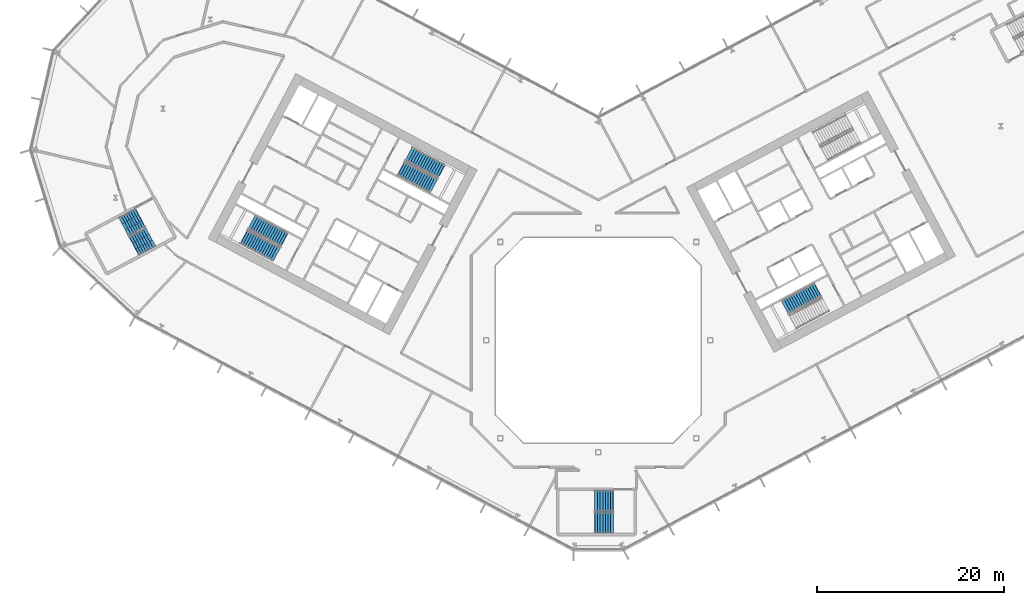
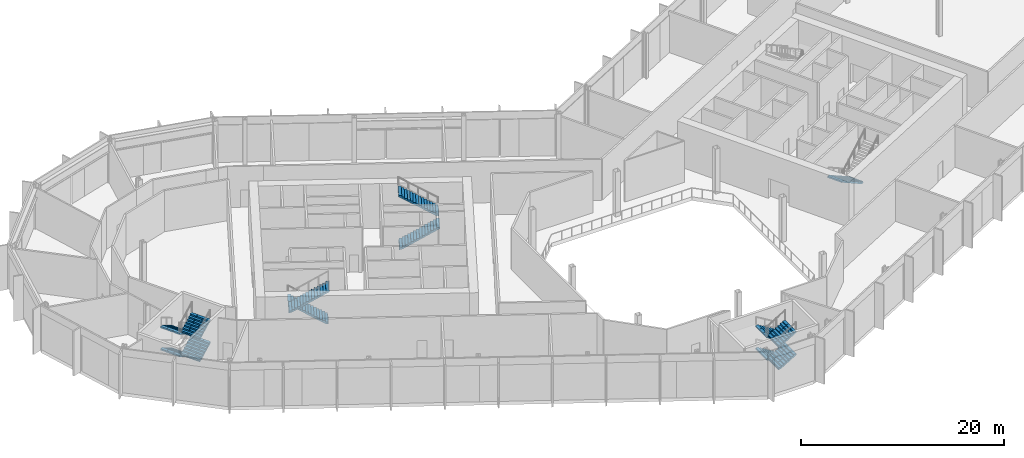
# One storey, part 18 of 31: 13 stair flights, 5 elements without a shape of their own.
"""IFC4 building model written with IfcOpenShell, lengths in metres."""

import ifcopenshell
import ifcopenshell.guid

model = None  # the IFC model being written
_history = None  # IfcOwnerHistory: only IFC2X3 demands one
_inside = {}  # id of a spatial element -> (the spatial element, [elements in it])
_under = {}  # id of a project, library or spatial element -> (it, [spatial elements below it])
_declared = {}  # id of a project -> (the project, [libraries it declares])
_typed = {}  # id of a type object -> (the type object, [elements of that type])
_made_of = {}  # id of a material, layer set ... -> (it, [elements and type objects made of it])


def new_model(schema):
    """Start an empty IFC model of exactly this schema.

    Asked for "IFC4X3", IfcOpenShell would pick the latest addendum, in which some entities
    have other attributes; the version numbers below select the first issue.
    IFC2X3 requires an IfcOwnerHistory on every rooted entity: one is made here for all.
    """
    global model, _history
    if schema == "IFC4X3":
        model = ifcopenshell.file(schema_version=(4, 3, 0, 0))
    else:
        model = ifcopenshell.file(schema=schema)
    _inside.clear()
    _under.clear()
    _declared.clear()
    _typed.clear()
    _made_of.clear()
    _history = None
    if model.schema == "IFC2X3":
        org = make("IfcOrganization", Name="unknown")
        user = make(
            "IfcPersonAndOrganization",
            ThePerson=make("IfcPerson", FamilyName="unknown"),
            TheOrganization=org,
        )
        app = make(
            "IfcApplication",
            ApplicationDeveloper=org,
            Version="unknown",
            ApplicationFullName="unknown",
            ApplicationIdentifier="unknown",
        )
        _history = make(
            "IfcOwnerHistory",
            OwningUser=user,
            OwningApplication=app,
            ChangeAction="ADDED",
            CreationDate=0,
        )
    return model


def make(cls, **values):
    """One entity of the class cls with the attributes given. An attribute that is None is left unset."""
    return model.create_entity(
        cls, **{name: value for name, value in values.items() if value is not None}
    )


def rooted(cls, **values):
    """An entity with a GlobalId (a new one), such as an element, a storey or a relation."""
    return make(cls, GlobalId=ifcopenshell.guid.new(), OwnerHistory=_history, **values)


def si_unit(unit_type, name, prefix=None):
    """IfcSIUnit, for example si_unit("LENGTHUNIT", "METRE", prefix="MILLI")."""
    return make("IfcSIUnit", UnitType=unit_type, Prefix=prefix, Name=name)


def assignment(units):
    """IfcUnitAssignment: the units of a project."""
    return None if units is None else make("IfcUnitAssignment", Units=units)


def point(xyz):
    """IfcCartesianPoint."""
    return None if xyz is None else make("IfcCartesianPoint", Coordinates=xyz)


def direction(xyz):
    """IfcDirection."""
    return None if xyz is None else make("IfcDirection", DirectionRatios=xyz)


def frame(location, z_axis=None, x_axis=None):
    """IfcAxis2Placement3D, a coordinate frame: its origin and axes. An axis left out is left unset."""
    return make(
        "IfcAxis2Placement3D",
        Location=point(location),
        Axis=direction(z_axis),
        RefDirection=direction(x_axis),
    )


def origin():
    """The frame at (0, 0, 0) with its axes left unset."""
    return frame((0.0, 0.0, 0.0))


def place(relative_to, where):
    """IfcLocalPlacement: puts the frame where relative to a parent placement (None: the world)."""
    return make(
        "IfcLocalPlacement", PlacementRelTo=relative_to, RelativePlacement=where
    )


def context(
    kind, dimensions, precision=None, world=None, true_north=None, identifier=None
):
    """IfcGeometricRepresentationContext, for example the 3D "Model" context."""
    return make(
        "IfcGeometricRepresentationContext",
        ContextIdentifier=identifier,
        ContextType=kind,
        CoordinateSpaceDimension=dimensions,
        Precision=precision,
        WorldCoordinateSystem=world,
        TrueNorth=true_north,
    )


def subcontext(parent, identifier, kind, view, scale=None):
    """IfcGeometricRepresentationSubContext, for example "Body" below "Model"."""
    return make(
        "IfcGeometricRepresentationSubContext",
        ContextIdentifier=identifier,
        ContextType=kind,
        ParentContext=parent,
        TargetScale=scale,
        TargetView=view,
    )


def project(units=None, contexts=None):
    """IfcProject with its units and contexts."""
    return rooted(
        "IfcProject",
        Name="project",
        RepresentationContexts=contexts,
        UnitsInContext=assignment(units),
    )


def spatial(cls, under=None, at=None, **own):
    """A site, building, storey or space (cls), placed at a placement, below another one or the project."""
    s = rooted(cls, ObjectPlacement=at, **own)
    if under is not None:
        _under.setdefault(under.id(), (under, []))[1].append(s)
    return s


def polyline(points):
    """IfcPolyline through the points."""
    return make("IfcPolyline", Points=[point(p) for p in points])


def outline(outer, holes=None, kind="AREA"):
    """IfcArbitraryClosedProfileDef: a profile drawn as a closed curve; with holes, ...WithVoids."""
    if holes is None:
        return make("IfcArbitraryClosedProfileDef", ProfileType=kind, OuterCurve=outer)
    return make(
        "IfcArbitraryProfileDefWithVoids",
        ProfileType=kind,
        OuterCurve=outer,
        InnerCurves=holes,
    )


def extrude(swept, where, along, depth):
    """IfcExtrudedAreaSolid: the profile swept, set in the frame where, extruded along a direction by depth."""
    return make(
        "IfcExtrudedAreaSolid",
        SweptArea=swept,
        Position=where,
        ExtrudedDirection=direction(along),
        Depth=depth,
    )


def shape(context_of_items, identifier, shape_type, items):
    """IfcShapeRepresentation: the items that make up one representation, for example the "Body"."""
    return make(
        "IfcShapeRepresentation",
        ContextOfItems=context_of_items,
        RepresentationIdentifier=identifier,
        RepresentationType=shape_type,
        Items=items,
    )


def material(Name=None, Category=None):
    """IfcMaterial."""
    return make("IfcMaterial", Name=Name, Category=Category)


def made_of(thing, what):
    """Note that an element or type object is made of a material, layer set ...; save() writes the relation."""
    if what is not None:
        _made_of.setdefault(what.id(), (what, []))[1].append(thing)
    return thing


def type_object(cls, material=None, **own):
    """A type object (cls), such as IfcWallType, which elements share."""
    return made_of(rooted(cls, **own), material)


def element(
    cls,
    number,
    at=None,
    inside=None,
    cuts=None,
    type_object=None,
    material=None,
    context=None,
    identifier="Body",
    shape_type=None,
    held_by="IfcProductDefinitionShape",
    body=None,
    shapes=None,
    **own,
):
    """One element of the class cls, such as IfcWall. Its Tag is "e" and its number.

    at: its placement. inside: the storey or other place that contains it. cuts: it is an
    opening in that element (IfcRelVoidsElement). A single representation is given by context,
    identifier, shape_type and body (its items); several are given by shapes. held_by: the class
    of the entity that holds the representations. save() writes the other relations.
    """
    e = rooted(cls, Tag="e%d" % number, ObjectPlacement=at, **own)
    if body is not None:
        shapes = [shape(context, identifier, shape_type, body)]
    if shapes is not None:
        e.Representation = make(held_by, Representations=shapes)
    if inside is not None:
        _inside.setdefault(inside.id(), (inside, []))[1].append(e)
    if cuts is not None:
        rooted(
            "IfcRelVoidsElement", RelatingBuildingElement=cuts, RelatedOpeningElement=e
        )
    if type_object is not None:
        _typed.setdefault(type_object.id(), (type_object, []))[1].append(e)
    return made_of(e, material)


def aggregate(whole, parts):
    """IfcRelAggregates: a whole, such as a stair, and the parts it consists of."""
    return rooted("IfcRelAggregates", RelatingObject=whole, RelatedObjects=parts)


def save(model, path):
    """Write the relations noted so far, then the file.

    IfcRelAggregates (storeys below a building ...), IfcRelContainedInSpatialStructure (elements
    in a storey), IfcRelDefinesByType, IfcRelAssociatesMaterial and IfcRelDeclares: one each for
    every whole, place, type object, material and project.
    """
    for whole, parts in _under.values():
        aggregate(whole, parts)
    for where, things in _inside.values():
        rooted(
            "IfcRelContainedInSpatialStructure",
            RelatedElements=things,
            RelatingStructure=where,
        )
    for kind, things in _typed.values():
        rooted("IfcRelDefinesByType", RelatedObjects=things, RelatingType=kind)
    for what, things in _made_of.values():
        rooted("IfcRelAssociatesMaterial", RelatedObjects=things, RelatingMaterial=what)
    for by, libraries in _declared.values():
        rooted("IfcRelDeclares", RelatingContext=by, RelatedDefinitions=libraries)
    model.write(path)


model = new_model("IFC4")

# Units and contexts
model_context = context("Model", 3, precision=1e-05, world=origin(), true_north=direction((0.0, 1.0)))
body_context = subcontext(model_context, "Body", "Model", "MODEL_VIEW")
ifc_project = project(units=[si_unit("LENGTHUNIT", "METRE"), si_unit("AREAUNIT", "SQUARE_METRE"), si_unit("VOLUMEUNIT", "CUBIC_METRE"), si_unit("PLANEANGLEUNIT", "RADIAN"), si_unit("MASSUNIT", "GRAM", prefix="KILO")], contexts=[model_context])

# Site, building, storey
site_placement = place(None, origin())
site = spatial("IfcSite", under=ifc_project, at=site_placement, CompositionType="ELEMENT")
building_placement = place(site_placement, origin())
building = spatial("IfcBuilding", under=site, at=building_placement, Name="Cormorant Relay Tower", CompositionType="ELEMENT")
storey_placement = place(building_placement, frame((0.0, 0.0, 23.0)))
storey = spatial("IfcBuildingStorey", under=building, at=storey_placement, Name="L04", CompositionType="ELEMENT", Elevation=23.0)

# Stair, stair flights
ifc_material_1 = material(Name="Concrete 40 MPa", Category="concrete")
stair_type_1 = type_object("IfcStairType", Name="Exit stair 1500", PredefinedType="HALF_TURN_STAIR", material=ifc_material_1)
stair_1_placement = place(storey_placement, origin())
stair_1 = element("IfcStair", 1, at=stair_1_placement, inside=storey, type_object=stair_type_1, Name="L04 Stair", PredefinedType="HALF_TURN_STAIR")
ifc_material_2 = material(Name="Concrete 40 MPa", Category="concrete")
stair_flight_type_1 = type_object("IfcStairFlightType", Name="Exit stair flight 1650", PredefinedType="STRAIGHT", material=ifc_material_2)
stair_flight_1_placement = place(storey_placement, frame((-21.114501953125, 18.33349609375, 0.0), z_axis=(0.0, 0.0, 1.0), x_axis=(0.882947592859, -0.469471562786, 0.0)))
stair_flight_1 = element("IfcStairFlight", 2, at=stair_flight_1_placement, type_object=stair_flight_type_1, Name="A1 flight 1", NumberOfRisers=15, NumberOfTreads=14, PredefinedType="STRAIGHT", RiserHeight=0.18, TreadLength=0.28, context=body_context, shape_type="SweptSolid", body=[
    extrude(outline(polyline([(-0.050048828125, -0.080078125), (-0.050048828125, 0.0), (0.0, 0.0), (0.0, 0.179931640625), (0.280029296875, 0.179931640625), (0.280029296875, 0.360107421875), (0.56005859375, 0.360107421875), (0.56005859375, 0.5400390625), (0.840087890625, 0.5400390625), (0.840087890625, 0.719970703125), (1.1201171875, 0.719970703125), (1.1201171875, 0.89990234375), (1.39990234375, 0.89990234375), (1.39990234375, 1.080078125), (1.679931640625, 1.080078125), (1.679931640625, 1.260009765625), (1.9599609375, 1.260009765625), (1.9599609375, 1.43994140625), (2.239990234375, 1.43994140625), (2.239990234375, 1.6201171875), (2.52001953125, 1.6201171875), (2.52001953125, 1.800048828125), (2.800048828125, 1.800048828125), (2.800048828125, 1.97998046875), (3.080078125, 1.97998046875), (3.080078125, 2.159912109375), (3.360107421875, 2.159912109375), (3.360107421875, 2.340087890625), (3.639892578125, 2.340087890625), (3.639892578125, 2.52001953125), (3.919921875, 2.52001953125), (3.969970703125, 2.52001953125), (3.969970703125, 2.341796875), (3.919921875, 2.341796875), (0.277099609375, 0.0), (-0.050048828125, -0.080078125)])), frame((0.0, 0.824951171875, 0.0), z_axis=(0.0, -1.0, 0.0), x_axis=(1.0, 0.0, 0.0)), (0.0, 0.0, 1.0), 1.64990234375),
])
stair_flight_2_placement = place(storey_placement, frame((-16.80810546875, 18.08251953125, 2.699951171875), z_axis=(0.0, 0.0, 1.0), x_axis=(-0.882947592859, 0.469471562786, 0.0)))
stair_flight_2 = element("IfcStairFlight", 3, at=stair_flight_2_placement, type_object=stair_flight_type_1, Name="A1 flight 2", NumberOfRisers=15, NumberOfTreads=14, PredefinedType="STRAIGHT", RiserHeight=0.18, TreadLength=0.28, context=body_context, shape_type="SweptSolid", body=[
    extrude(outline(polyline([(-0.050048828125, -0.080078125), (-0.050048828125, 0.0), (0.0, 0.0), (0.0, 0.179931640625), (0.280029296875, 0.179931640625), (0.280029296875, 0.360107421875), (0.56005859375, 0.360107421875), (0.56005859375, 0.5400390625), (0.840087890625, 0.5400390625), (0.840087890625, 0.719970703125), (1.1201171875, 0.719970703125), (1.1201171875, 0.89990234375), (1.39990234375, 0.89990234375), (1.39990234375, 1.080078125), (1.679931640625, 1.080078125), (1.679931640625, 1.260009765625), (1.9599609375, 1.260009765625), (1.9599609375, 1.43994140625), (2.239990234375, 1.43994140625), (2.239990234375, 1.6201171875), (2.52001953125, 1.6201171875), (2.52001953125, 1.800048828125), (2.800048828125, 1.800048828125), (2.800048828125, 1.97998046875), (3.080078125, 1.97998046875), (3.080078125, 2.159912109375), (3.360107421875, 2.159912109375), (3.360107421875, 2.340087890625), (3.639892578125, 2.340087890625), (3.639892578125, 2.52001953125), (3.919921875, 2.52001953125), (3.969970703125, 2.52001953125), (3.969970703125, 2.341796875), (3.919921875, 2.341796875), (0.277099609375, 0.0), (-0.050048828125, -0.080078125)])), frame((0.0, 0.824951171875, 0.0), z_axis=(0.0, -1.0, 0.0), x_axis=(1.0, 0.0, 0.0)), (0.0, 0.0, 1.0), 1.64990234375),
])
aggregate(stair_1, [stair_flight_1, stair_flight_2])

stair_2_placement = place(storey_placement, origin())
stair_2 = element("IfcStair", 4, at=stair_2_placement, inside=storey, type_object=stair_type_1, Name="L04 Stair", PredefinedType="HALF_TURN_STAIR")
stair_flight_3_placement = place(storey_placement, frame((-33.62841796875, 10.773681640625, 0.0), z_axis=(0.0, 0.0, 1.0), x_axis=(-0.882947592859, 0.469471562786, 0.0)))
stair_flight_3 = element("IfcStairFlight", 5, at=stair_flight_3_placement, type_object=stair_flight_type_1, Name="A2 flight 1", NumberOfRisers=15, NumberOfTreads=14, PredefinedType="STRAIGHT", RiserHeight=0.18, TreadLength=0.28, context=body_context, shape_type="SweptSolid", body=[
    extrude(outline(polyline([(-0.050048828125, -0.080078125), (-0.050048828125, 0.0), (0.0, 0.0), (0.0, 0.179931640625), (0.280029296875, 0.179931640625), (0.280029296875, 0.360107421875), (0.56005859375, 0.360107421875), (0.56005859375, 0.5400390625), (0.840087890625, 0.5400390625), (0.840087890625, 0.719970703125), (1.1201171875, 0.719970703125), (1.1201171875, 0.89990234375), (1.39990234375, 0.89990234375), (1.39990234375, 1.080078125), (1.679931640625, 1.080078125), (1.679931640625, 1.260009765625), (1.9599609375, 1.260009765625), (1.9599609375, 1.43994140625), (2.239990234375, 1.43994140625), (2.239990234375, 1.6201171875), (2.52001953125, 1.6201171875), (2.52001953125, 1.800048828125), (2.800048828125, 1.800048828125), (2.800048828125, 1.97998046875), (3.080078125, 1.97998046875), (3.080078125, 2.159912109375), (3.360107421875, 2.159912109375), (3.360107421875, 2.340087890625), (3.639892578125, 2.340087890625), (3.639892578125, 2.52001953125), (3.919921875, 2.52001953125), (3.969970703125, 2.52001953125), (3.969970703125, 2.341796875), (3.919921875, 2.341796875), (0.277099609375, 0.0), (-0.050048828125, -0.080078125)])), frame((0.0, 0.824951171875, 0.0), z_axis=(0.0, -1.0, 0.0), x_axis=(1.0, 0.0, 0.0)), (0.0, 0.0, 1.0), 1.64990234375),
])
stair_flight_4_placement = place(storey_placement, frame((-37.9345703125, 11.024658203125, 2.699951171875), z_axis=(0.0, 0.0, 1.0), x_axis=(0.882947592859, -0.469471562786, 0.0)))
stair_flight_4 = element("IfcStairFlight", 6, at=stair_flight_4_placement, type_object=stair_flight_type_1, Name="A2 flight 2", NumberOfRisers=15, NumberOfTreads=14, PredefinedType="STRAIGHT", RiserHeight=0.18, TreadLength=0.28, context=body_context, shape_type="SweptSolid", body=[
    extrude(outline(polyline([(-0.050048828125, -0.080078125), (-0.050048828125, 0.0), (0.0, 0.0), (0.0, 0.179931640625), (0.280029296875, 0.179931640625), (0.280029296875, 0.360107421875), (0.56005859375, 0.360107421875), (0.56005859375, 0.5400390625), (0.840087890625, 0.5400390625), (0.840087890625, 0.719970703125), (1.1201171875, 0.719970703125), (1.1201171875, 0.89990234375), (1.39990234375, 0.89990234375), (1.39990234375, 1.080078125), (1.679931640625, 1.080078125), (1.679931640625, 1.260009765625), (1.9599609375, 1.260009765625), (1.9599609375, 1.43994140625), (2.239990234375, 1.43994140625), (2.239990234375, 1.6201171875), (2.52001953125, 1.6201171875), (2.52001953125, 1.800048828125), (2.800048828125, 1.800048828125), (2.800048828125, 1.97998046875), (3.080078125, 1.97998046875), (3.080078125, 2.159912109375), (3.360107421875, 2.159912109375), (3.360107421875, 2.340087890625), (3.639892578125, 2.340087890625), (3.639892578125, 2.52001953125), (3.919921875, 2.52001953125), (3.969970703125, 2.52001953125), (3.969970703125, 2.341796875), (3.919921875, 2.341796875), (0.277099609375, 0.0), (-0.050048828125, -0.080078125)])), frame((0.0, 0.824951171875, 0.0), z_axis=(0.0, -1.0, 0.0), x_axis=(1.0, 0.0, 0.0)), (0.0, 0.0, 1.0), 1.64990234375),
])
aggregate(stair_2, [stair_flight_3, stair_flight_4])

# Stair, stair flight
stair_3_placement = place(storey_placement, origin())
stair_3 = element("IfcStair", 7, at=stair_3_placement, inside=storey, type_object=stair_type_1, Name="L04 Stair", PredefinedType="HALF_TURN_STAIR")
stair_flight_5_placement = place(storey_placement, frame((23.474365234375, 5.374755859375, 0.0), z_axis=(0.0, 0.0, 1.0), x_axis=(-0.882947592859, -0.469471562786, 0.0)))
stair_flight_5 = element("IfcStairFlight", 8, at=stair_flight_5_placement, type_object=stair_flight_type_1, Name="B1 flight 1", NumberOfRisers=15, NumberOfTreads=14, PredefinedType="STRAIGHT", RiserHeight=0.18, TreadLength=0.28, context=body_context, shape_type="SweptSolid", body=[
    extrude(outline(polyline([(-0.050048828125, -0.080078125), (-0.050048828125, 0.0), (0.0, 0.0), (0.0, 0.179931640625), (0.280029296875, 0.179931640625), (0.280029296875, 0.360107421875), (0.56005859375, 0.360107421875), (0.56005859375, 0.5400390625), (0.840087890625, 0.5400390625), (0.840087890625, 0.719970703125), (1.1201171875, 0.719970703125), (1.1201171875, 0.89990234375), (1.39990234375, 0.89990234375), (1.39990234375, 1.080078125), (1.679931640625, 1.080078125), (1.679931640625, 1.260009765625), (1.9599609375, 1.260009765625), (1.9599609375, 1.43994140625), (2.239990234375, 1.43994140625), (2.239990234375, 1.6201171875), (2.52001953125, 1.6201171875), (2.52001953125, 1.800048828125), (2.800048828125, 1.800048828125), (2.800048828125, 1.97998046875), (3.080078125, 1.97998046875), (3.080078125, 2.159912109375), (3.360107421875, 2.159912109375), (3.360107421875, 2.340087890625), (3.639892578125, 2.340087890625), (3.639892578125, 2.52001953125), (3.919921875, 2.52001953125), (3.969970703125, 2.52001953125), (3.969970703125, 2.341796875), (3.919921875, 2.341796875), (0.277099609375, 0.0), (-0.050048828125, -0.080078125)])), frame((0.0, 0.824951171875, 0.0), z_axis=(0.0, -1.0, 0.0), x_axis=(1.0, 0.0, 0.0)), (0.0, 0.0, 1.0), 1.64990234375),
])
aggregate(stair_3, [stair_flight_5])

# Stair, stair flights
ifc_material_3 = material(Name="Concrete 40 MPa", Category="concrete")
stair_type_2 = type_object("IfcStairType", Name="Remote exit stair 2200", PredefinedType="HALF_TURN_STAIR", material=ifc_material_3)
stair_4_placement = place(storey_placement, origin())
stair_4 = element("IfcStair", 9, at=stair_4_placement, inside=storey, type_object=stair_type_2, Name="L04 Stair", PredefinedType="HALF_TURN_STAIR")
ifc_material_4 = material(Name="Concrete 40 MPa", Category="concrete")
stair_flight_type_2 = type_object("IfcStairFlightType", Name="Remote exit stair flight 2200", PredefinedType="STRAIGHT", material=ifc_material_4)
stair_flight_6_placement = place(storey_placement, frame((1.60009765625, -17.22509765625, 0.0), z_axis=(0.0, 0.0, 1.0), x_axis=(-1.0, 0.0, 0.0)))
stair_flight_6 = element("IfcStairFlight", 10, at=stair_flight_6_placement, type_object=stair_flight_type_2, Name="RK1 flight 1", NumberOfRisers=8, NumberOfTreads=7, PredefinedType="STRAIGHT", RiserHeight=0.16875, TreadLength=0.28, context=body_context, shape_type="SweptSolid", body=[
    extrude(outline(polyline([(-0.050048828125, -0.080078125), (-0.050048828125, 0.0), (0.0, 0.0), (0.0, 0.168701171875), (0.280029296875, 0.168701171875), (0.280029296875, 0.33740234375), (0.56005859375, 0.33740234375), (0.56005859375, 0.50634765625), (0.840087890625, 0.50634765625), (0.840087890625, 0.675048828125), (1.1201171875, 0.675048828125), (1.1201171875, 0.84375), (1.39990234375, 0.84375), (1.39990234375, 1.012451171875), (1.679931640625, 1.012451171875), (1.679931640625, 1.18115234375), (1.9599609375, 1.18115234375), (2.010009765625, 1.18115234375), (2.010009765625, 1.00634765625), (1.9599609375, 1.00634765625), (0.29052734375, 0.0), (-0.050048828125, -0.080078125)])), frame((0.0, 1.10009765625, 0.0), z_axis=(0.0, -1.0, 0.0), x_axis=(1.0, 0.0, 0.0)), (0.0, 0.0, 1.0), 0.719970703125),
    extrude(outline(polyline([(-0.050048828125, -0.080078125), (-0.050048828125, 0.0), (0.0, 0.0), (0.0, 0.168701171875), (0.280029296875, 0.168701171875), (0.280029296875, 0.33740234375), (0.56005859375, 0.33740234375), (0.56005859375, 0.50634765625), (0.840087890625, 0.50634765625), (0.840087890625, 0.675048828125), (1.1201171875, 0.675048828125), (1.1201171875, 0.84375), (1.39990234375, 0.84375), (1.39990234375, 1.012451171875), (1.679931640625, 1.012451171875), (1.679931640625, 1.18115234375), (1.9599609375, 1.18115234375), (2.010009765625, 1.18115234375), (2.010009765625, 1.00634765625), (1.9599609375, 1.00634765625), (0.29052734375, 0.0), (-0.050048828125, -0.080078125)])), frame((0.0, 0.360107421875, 0.0), z_axis=(0.0, -1.0, 0.0), x_axis=(1.0, 0.0, 0.0)), (0.0, 0.0, 1.0), 0.719970703125),
    extrude(outline(polyline([(-0.050048828125, -0.080078125), (-0.050048828125, 0.0), (0.0, 0.0), (0.0, 0.168701171875), (0.280029296875, 0.168701171875), (0.280029296875, 0.33740234375), (0.56005859375, 0.33740234375), (0.56005859375, 0.50634765625), (0.840087890625, 0.50634765625), (0.840087890625, 0.675048828125), (1.1201171875, 0.675048828125), (1.1201171875, 0.84375), (1.39990234375, 0.84375), (1.39990234375, 1.012451171875), (1.679931640625, 1.012451171875), (1.679931640625, 1.18115234375), (1.9599609375, 1.18115234375), (2.010009765625, 1.18115234375), (2.010009765625, 1.00634765625), (1.9599609375, 1.00634765625), (0.29052734375, 0.0), (-0.050048828125, -0.080078125)])), frame((0.0, -0.3798828125, 0.0), z_axis=(0.0, -1.0, 0.0), x_axis=(1.0, 0.0, 0.0)), (0.0, 0.0, 1.0), 0.719970703125),
])
stair_flight_7_placement = place(storey_placement, frame((-0.360107421875, -19.574951171875, 1.35009765625), z_axis=(0.0, 0.0, 1.0), x_axis=(1.0, 0.0, 0.0)))
stair_flight_7 = element("IfcStairFlight", 11, at=stair_flight_7_placement, type_object=stair_flight_type_2, Name="RK1 flight 2", NumberOfRisers=8, NumberOfTreads=7, PredefinedType="STRAIGHT", RiserHeight=0.16875, TreadLength=0.28, context=body_context, shape_type="SweptSolid", body=[
    extrude(outline(polyline([(-0.050048828125, -0.080078125), (-0.050048828125, 0.0), (0.0, 0.0), (0.0, 0.168701171875), (0.280029296875, 0.168701171875), (0.280029296875, 0.33740234375), (0.56005859375, 0.33740234375), (0.56005859375, 0.50634765625), (0.840087890625, 0.50634765625), (0.840087890625, 0.675048828125), (1.1201171875, 0.675048828125), (1.1201171875, 0.84375), (1.39990234375, 0.84375), (1.39990234375, 1.012451171875), (1.679931640625, 1.012451171875), (1.679931640625, 1.18115234375), (1.9599609375, 1.18115234375), (2.010009765625, 1.18115234375), (2.010009765625, 1.00634765625), (1.9599609375, 1.00634765625), (0.29052734375, 0.0), (-0.050048828125, -0.080078125)])), frame((0.0, 1.10009765625, 0.0), z_axis=(0.0, -1.0, 0.0), x_axis=(1.0, 0.0, 0.0)), (0.0, 0.0, 1.0), 0.719970703125),
    extrude(outline(polyline([(-0.050048828125, -0.080078125), (-0.050048828125, 0.0), (0.0, 0.0), (0.0, 0.168701171875), (0.280029296875, 0.168701171875), (0.280029296875, 0.33740234375), (0.56005859375, 0.33740234375), (0.56005859375, 0.50634765625), (0.840087890625, 0.50634765625), (0.840087890625, 0.675048828125), (1.1201171875, 0.675048828125), (1.1201171875, 0.84375), (1.39990234375, 0.84375), (1.39990234375, 1.012451171875), (1.679931640625, 1.012451171875), (1.679931640625, 1.18115234375), (1.9599609375, 1.18115234375), (2.010009765625, 1.18115234375), (2.010009765625, 1.00634765625), (1.9599609375, 1.00634765625), (0.29052734375, 0.0), (-0.050048828125, -0.080078125)])), frame((0.0, 0.360107421875, 0.0), z_axis=(0.0, -1.0, 0.0), x_axis=(1.0, 0.0, 0.0)), (0.0, 0.0, 1.0), 0.719970703125),
    extrude(outline(polyline([(-0.050048828125, -0.080078125), (-0.050048828125, 0.0), (0.0, 0.0), (0.0, 0.168701171875), (0.280029296875, 0.168701171875), (0.280029296875, 0.33740234375), (0.56005859375, 0.33740234375), (0.56005859375, 0.50634765625), (0.840087890625, 0.50634765625), (0.840087890625, 0.675048828125), (1.1201171875, 0.675048828125), (1.1201171875, 0.84375), (1.39990234375, 0.84375), (1.39990234375, 1.012451171875), (1.679931640625, 1.012451171875), (1.679931640625, 1.18115234375), (1.9599609375, 1.18115234375), (2.010009765625, 1.18115234375), (2.010009765625, 1.00634765625), (1.9599609375, 1.00634765625), (0.29052734375, 0.0), (-0.050048828125, -0.080078125)])), frame((0.0, -0.3798828125, 0.0), z_axis=(0.0, -1.0, 0.0), x_axis=(1.0, 0.0, 0.0)), (0.0, 0.0, 1.0), 0.719970703125),
])
stair_flight_8_placement = place(storey_placement, frame((1.60009765625, -17.22509765625, 2.699951171875), z_axis=(0.0, 0.0, 1.0), x_axis=(-1.0, 0.0, 0.0)))
stair_flight_8 = element("IfcStairFlight", 12, at=stair_flight_8_placement, type_object=stair_flight_type_2, Name="RK1 flight 3", NumberOfRisers=8, NumberOfTreads=7, PredefinedType="STRAIGHT", RiserHeight=0.16875, TreadLength=0.28, context=body_context, shape_type="SweptSolid", body=[
    extrude(outline(polyline([(-0.050048828125, -0.080078125), (-0.050048828125, 0.0), (0.0, 0.0), (0.0, 0.168701171875), (0.280029296875, 0.168701171875), (0.280029296875, 0.33740234375), (0.56005859375, 0.33740234375), (0.56005859375, 0.50634765625), (0.840087890625, 0.50634765625), (0.840087890625, 0.675048828125), (1.1201171875, 0.675048828125), (1.1201171875, 0.84375), (1.39990234375, 0.84375), (1.39990234375, 1.012451171875), (1.679931640625, 1.012451171875), (1.679931640625, 1.18115234375), (1.9599609375, 1.18115234375), (2.010009765625, 1.18115234375), (2.010009765625, 1.00634765625), (1.9599609375, 1.00634765625), (0.29052734375, 0.0), (-0.050048828125, -0.080078125)])), frame((0.0, 1.10009765625, 0.0), z_axis=(0.0, -1.0, 0.0), x_axis=(1.0, 0.0, 0.0)), (0.0, 0.0, 1.0), 0.719970703125),
    extrude(outline(polyline([(-0.050048828125, -0.080078125), (-0.050048828125, 0.0), (0.0, 0.0), (0.0, 0.168701171875), (0.280029296875, 0.168701171875), (0.280029296875, 0.33740234375), (0.56005859375, 0.33740234375), (0.56005859375, 0.50634765625), (0.840087890625, 0.50634765625), (0.840087890625, 0.675048828125), (1.1201171875, 0.675048828125), (1.1201171875, 0.84375), (1.39990234375, 0.84375), (1.39990234375, 1.012451171875), (1.679931640625, 1.012451171875), (1.679931640625, 1.18115234375), (1.9599609375, 1.18115234375), (2.010009765625, 1.18115234375), (2.010009765625, 1.00634765625), (1.9599609375, 1.00634765625), (0.29052734375, 0.0), (-0.050048828125, -0.080078125)])), frame((0.0, 0.360107421875, 0.0), z_axis=(0.0, -1.0, 0.0), x_axis=(1.0, 0.0, 0.0)), (0.0, 0.0, 1.0), 0.719970703125),
    extrude(outline(polyline([(-0.050048828125, -0.080078125), (-0.050048828125, 0.0), (0.0, 0.0), (0.0, 0.168701171875), (0.280029296875, 0.168701171875), (0.280029296875, 0.33740234375), (0.56005859375, 0.33740234375), (0.56005859375, 0.50634765625), (0.840087890625, 0.50634765625), (0.840087890625, 0.675048828125), (1.1201171875, 0.675048828125), (1.1201171875, 0.84375), (1.39990234375, 0.84375), (1.39990234375, 1.012451171875), (1.679931640625, 1.012451171875), (1.679931640625, 1.18115234375), (1.9599609375, 1.18115234375), (2.010009765625, 1.18115234375), (2.010009765625, 1.00634765625), (1.9599609375, 1.00634765625), (0.29052734375, 0.0), (-0.050048828125, -0.080078125)])), frame((0.0, -0.3798828125, 0.0), z_axis=(0.0, -1.0, 0.0), x_axis=(1.0, 0.0, 0.0)), (0.0, 0.0, 1.0), 0.719970703125),
])
stair_flight_9_placement = place(storey_placement, frame((-0.360107421875, -19.574951171875, 4.050048828125), z_axis=(0.0, 0.0, 1.0), x_axis=(1.0, 0.0, 0.0)))
stair_flight_9 = element("IfcStairFlight", 13, at=stair_flight_9_placement, type_object=stair_flight_type_2, Name="RK1 flight 4", NumberOfRisers=8, NumberOfTreads=7, PredefinedType="STRAIGHT", RiserHeight=0.16875, TreadLength=0.28, context=body_context, shape_type="SweptSolid", body=[
    extrude(outline(polyline([(-0.050048828125, -0.080078125), (-0.050048828125, 0.0), (0.0, 0.0), (0.0, 0.168701171875), (0.280029296875, 0.168701171875), (0.280029296875, 0.33740234375), (0.56005859375, 0.33740234375), (0.56005859375, 0.50634765625), (0.840087890625, 0.50634765625), (0.840087890625, 0.675048828125), (1.1201171875, 0.675048828125), (1.1201171875, 0.84375), (1.39990234375, 0.84375), (1.39990234375, 1.012451171875), (1.679931640625, 1.012451171875), (1.679931640625, 1.18115234375), (1.9599609375, 1.18115234375), (2.010009765625, 1.18115234375), (2.010009765625, 1.00634765625), (1.9599609375, 1.00634765625), (0.29052734375, 0.0), (-0.050048828125, -0.080078125)])), frame((0.0, 1.10009765625, 0.0), z_axis=(0.0, -1.0, 0.0), x_axis=(1.0, 0.0, 0.0)), (0.0, 0.0, 1.0), 0.719970703125),
    extrude(outline(polyline([(-0.050048828125, -0.080078125), (-0.050048828125, 0.0), (0.0, 0.0), (0.0, 0.168701171875), (0.280029296875, 0.168701171875), (0.280029296875, 0.33740234375), (0.56005859375, 0.33740234375), (0.56005859375, 0.50634765625), (0.840087890625, 0.50634765625), (0.840087890625, 0.675048828125), (1.1201171875, 0.675048828125), (1.1201171875, 0.84375), (1.39990234375, 0.84375), (1.39990234375, 1.012451171875), (1.679931640625, 1.012451171875), (1.679931640625, 1.18115234375), (1.9599609375, 1.18115234375), (2.010009765625, 1.18115234375), (2.010009765625, 1.00634765625), (1.9599609375, 1.00634765625), (0.29052734375, 0.0), (-0.050048828125, -0.080078125)])), frame((0.0, 0.360107421875, 0.0), z_axis=(0.0, -1.0, 0.0), x_axis=(1.0, 0.0, 0.0)), (0.0, 0.0, 1.0), 0.719970703125),
    extrude(outline(polyline([(-0.050048828125, -0.080078125), (-0.050048828125, 0.0), (0.0, 0.0), (0.0, 0.168701171875), (0.280029296875, 0.168701171875), (0.280029296875, 0.33740234375), (0.56005859375, 0.33740234375), (0.56005859375, 0.50634765625), (0.840087890625, 0.50634765625), (0.840087890625, 0.675048828125), (1.1201171875, 0.675048828125), (1.1201171875, 0.84375), (1.39990234375, 0.84375), (1.39990234375, 1.012451171875), (1.679931640625, 1.012451171875), (1.679931640625, 1.18115234375), (1.9599609375, 1.18115234375), (2.010009765625, 1.18115234375), (2.010009765625, 1.00634765625), (1.9599609375, 1.00634765625), (0.29052734375, 0.0), (-0.050048828125, -0.080078125)])), frame((0.0, -0.3798828125, 0.0), z_axis=(0.0, -1.0, 0.0), x_axis=(1.0, 0.0, 0.0)), (0.0, 0.0, 1.0), 0.719970703125),
])
aggregate(stair_4, [stair_flight_6, stair_flight_7, stair_flight_8, stair_flight_9])

stair_5_placement = place(storey_placement, origin())
stair_5 = element("IfcStair", 14, at=stair_5_placement, inside=storey, type_object=stair_type_2, Name="L04 Stair", PredefinedType="HALF_TURN_STAIR")
stair_flight_10_placement = place(storey_placement, frame((-49.062255859375, 13.08251953125, 0.0), z_axis=(0.0, 0.0, 1.0), x_axis=(-0.882947502727, -0.4694717323, 0.0)))
stair_flight_10 = element("IfcStairFlight", 15, at=stair_flight_10_placement, type_object=stair_flight_type_2, Name="RP1 flight 1", NumberOfRisers=8, NumberOfTreads=7, PredefinedType="STRAIGHT", RiserHeight=0.16875, TreadLength=0.28, context=body_context, shape_type="SweptSolid", body=[
    extrude(outline(polyline([(-0.050048828125, -0.080078125), (-0.050048828125, 0.0), (0.0, 0.0), (0.0, 0.168701171875), (0.280029296875, 0.168701171875), (0.280029296875, 0.33740234375), (0.56005859375, 0.33740234375), (0.56005859375, 0.50634765625), (0.840087890625, 0.50634765625), (0.840087890625, 0.675048828125), (1.1201171875, 0.675048828125), (1.1201171875, 0.84375), (1.39990234375, 0.84375), (1.39990234375, 1.012451171875), (1.679931640625, 1.012451171875), (1.679931640625, 1.18115234375), (1.9599609375, 1.18115234375), (2.010009765625, 1.18115234375), (2.010009765625, 1.00634765625), (1.9599609375, 1.00634765625), (0.29052734375, 0.0), (-0.050048828125, -0.080078125)])), frame((0.0, 1.10009765625, 0.0), z_axis=(0.0, -1.0, 0.0), x_axis=(1.0, 0.0, 0.0)), (0.0, 0.0, 1.0), 0.719970703125),
    extrude(outline(polyline([(-0.050048828125, -0.080078125), (-0.050048828125, 0.0), (0.0, 0.0), (0.0, 0.168701171875), (0.280029296875, 0.168701171875), (0.280029296875, 0.33740234375), (0.56005859375, 0.33740234375), (0.56005859375, 0.50634765625), (0.840087890625, 0.50634765625), (0.840087890625, 0.675048828125), (1.1201171875, 0.675048828125), (1.1201171875, 0.84375), (1.39990234375, 0.84375), (1.39990234375, 1.012451171875), (1.679931640625, 1.012451171875), (1.679931640625, 1.18115234375), (1.9599609375, 1.18115234375), (2.010009765625, 1.18115234375), (2.010009765625, 1.00634765625), (1.9599609375, 1.00634765625), (0.29052734375, 0.0), (-0.050048828125, -0.080078125)])), frame((0.0, 0.360107421875, 0.0), z_axis=(0.0, -1.0, 0.0), x_axis=(1.0, 0.0, 0.0)), (0.0, 0.0, 1.0), 0.719970703125),
    extrude(outline(polyline([(-0.050048828125, -0.080078125), (-0.050048828125, 0.0), (0.0, 0.0), (0.0, 0.168701171875), (0.280029296875, 0.168701171875), (0.280029296875, 0.33740234375), (0.56005859375, 0.33740234375), (0.56005859375, 0.50634765625), (0.840087890625, 0.50634765625), (0.840087890625, 0.675048828125), (1.1201171875, 0.675048828125), (1.1201171875, 0.84375), (1.39990234375, 0.84375), (1.39990234375, 1.012451171875), (1.679931640625, 1.012451171875), (1.679931640625, 1.18115234375), (1.9599609375, 1.18115234375), (2.010009765625, 1.18115234375), (2.010009765625, 1.00634765625), (1.9599609375, 1.00634765625), (0.29052734375, 0.0), (-0.050048828125, -0.080078125)])), frame((0.0, -0.3798828125, 0.0), z_axis=(0.0, -1.0, 0.0), x_axis=(1.0, 0.0, 0.0)), (0.0, 0.0, 1.0), 0.719970703125),
])
stair_flight_11_placement = place(storey_placement, frame((-49.689697265625, 10.08740234375, 1.35009765625), z_axis=(0.0, 0.0, 1.0), x_axis=(0.882947502727, 0.4694717323, 0.0)))
stair_flight_11 = element("IfcStairFlight", 16, at=stair_flight_11_placement, type_object=stair_flight_type_2, Name="RP1 flight 2", NumberOfRisers=8, NumberOfTreads=7, PredefinedType="STRAIGHT", RiserHeight=0.16875, TreadLength=0.28, context=body_context, shape_type="SweptSolid", body=[
    extrude(outline(polyline([(-0.050048828125, -0.080078125), (-0.050048828125, 0.0), (0.0, 0.0), (0.0, 0.168701171875), (0.280029296875, 0.168701171875), (0.280029296875, 0.33740234375), (0.56005859375, 0.33740234375), (0.56005859375, 0.50634765625), (0.840087890625, 0.50634765625), (0.840087890625, 0.675048828125), (1.1201171875, 0.675048828125), (1.1201171875, 0.84375), (1.39990234375, 0.84375), (1.39990234375, 1.012451171875), (1.679931640625, 1.012451171875), (1.679931640625, 1.18115234375), (1.9599609375, 1.18115234375), (2.010009765625, 1.18115234375), (2.010009765625, 1.00634765625), (1.9599609375, 1.00634765625), (0.29052734375, 0.0), (-0.050048828125, -0.080078125)])), frame((0.0, 1.10009765625, 0.0), z_axis=(0.0, -1.0, 0.0), x_axis=(1.0, 0.0, 0.0)), (0.0, 0.0, 1.0), 0.719970703125),
    extrude(outline(polyline([(-0.050048828125, -0.080078125), (-0.050048828125, 0.0), (0.0, 0.0), (0.0, 0.168701171875), (0.280029296875, 0.168701171875), (0.280029296875, 0.33740234375), (0.56005859375, 0.33740234375), (0.56005859375, 0.50634765625), (0.840087890625, 0.50634765625), (0.840087890625, 0.675048828125), (1.1201171875, 0.675048828125), (1.1201171875, 0.84375), (1.39990234375, 0.84375), (1.39990234375, 1.012451171875), (1.679931640625, 1.012451171875), (1.679931640625, 1.18115234375), (1.9599609375, 1.18115234375), (2.010009765625, 1.18115234375), (2.010009765625, 1.00634765625), (1.9599609375, 1.00634765625), (0.29052734375, 0.0), (-0.050048828125, -0.080078125)])), frame((0.0, 0.360107421875, 0.0), z_axis=(0.0, -1.0, 0.0), x_axis=(1.0, 0.0, 0.0)), (0.0, 0.0, 1.0), 0.719970703125),
    extrude(outline(polyline([(-0.050048828125, -0.080078125), (-0.050048828125, 0.0), (0.0, 0.0), (0.0, 0.168701171875), (0.280029296875, 0.168701171875), (0.280029296875, 0.33740234375), (0.56005859375, 0.33740234375), (0.56005859375, 0.50634765625), (0.840087890625, 0.50634765625), (0.840087890625, 0.675048828125), (1.1201171875, 0.675048828125), (1.1201171875, 0.84375), (1.39990234375, 0.84375), (1.39990234375, 1.012451171875), (1.679931640625, 1.012451171875), (1.679931640625, 1.18115234375), (1.9599609375, 1.18115234375), (2.010009765625, 1.18115234375), (2.010009765625, 1.00634765625), (1.9599609375, 1.00634765625), (0.29052734375, 0.0), (-0.050048828125, -0.080078125)])), frame((0.0, -0.3798828125, 0.0), z_axis=(0.0, -1.0, 0.0), x_axis=(1.0, 0.0, 0.0)), (0.0, 0.0, 1.0), 0.719970703125),
])
stair_flight_12_placement = place(storey_placement, frame((-49.062255859375, 13.08251953125, 2.699951171875), z_axis=(0.0, 0.0, 1.0), x_axis=(-0.882947502727, -0.4694717323, 0.0)))
stair_flight_12 = element("IfcStairFlight", 17, at=stair_flight_12_placement, type_object=stair_flight_type_2, Name="RP1 flight 3", NumberOfRisers=8, NumberOfTreads=7, PredefinedType="STRAIGHT", RiserHeight=0.16875, TreadLength=0.28, context=body_context, shape_type="SweptSolid", body=[
    extrude(outline(polyline([(-0.050048828125, -0.080078125), (-0.050048828125, 0.0), (0.0, 0.0), (0.0, 0.168701171875), (0.280029296875, 0.168701171875), (0.280029296875, 0.33740234375), (0.56005859375, 0.33740234375), (0.56005859375, 0.50634765625), (0.840087890625, 0.50634765625), (0.840087890625, 0.675048828125), (1.1201171875, 0.675048828125), (1.1201171875, 0.84375), (1.39990234375, 0.84375), (1.39990234375, 1.012451171875), (1.679931640625, 1.012451171875), (1.679931640625, 1.18115234375), (1.9599609375, 1.18115234375), (2.010009765625, 1.18115234375), (2.010009765625, 1.00634765625), (1.9599609375, 1.00634765625), (0.29052734375, 0.0), (-0.050048828125, -0.080078125)])), frame((0.0, 1.10009765625, 0.0), z_axis=(0.0, -1.0, 0.0), x_axis=(1.0, 0.0, 0.0)), (0.0, 0.0, 1.0), 0.719970703125),
    extrude(outline(polyline([(-0.050048828125, -0.080078125), (-0.050048828125, 0.0), (0.0, 0.0), (0.0, 0.168701171875), (0.280029296875, 0.168701171875), (0.280029296875, 0.33740234375), (0.56005859375, 0.33740234375), (0.56005859375, 0.50634765625), (0.840087890625, 0.50634765625), (0.840087890625, 0.675048828125), (1.1201171875, 0.675048828125), (1.1201171875, 0.84375), (1.39990234375, 0.84375), (1.39990234375, 1.012451171875), (1.679931640625, 1.012451171875), (1.679931640625, 1.18115234375), (1.9599609375, 1.18115234375), (2.010009765625, 1.18115234375), (2.010009765625, 1.00634765625), (1.9599609375, 1.00634765625), (0.29052734375, 0.0), (-0.050048828125, -0.080078125)])), frame((0.0, 0.360107421875, 0.0), z_axis=(0.0, -1.0, 0.0), x_axis=(1.0, 0.0, 0.0)), (0.0, 0.0, 1.0), 0.719970703125),
    extrude(outline(polyline([(-0.050048828125, -0.080078125), (-0.050048828125, 0.0), (0.0, 0.0), (0.0, 0.168701171875), (0.280029296875, 0.168701171875), (0.280029296875, 0.33740234375), (0.56005859375, 0.33740234375), (0.56005859375, 0.50634765625), (0.840087890625, 0.50634765625), (0.840087890625, 0.675048828125), (1.1201171875, 0.675048828125), (1.1201171875, 0.84375), (1.39990234375, 0.84375), (1.39990234375, 1.012451171875), (1.679931640625, 1.012451171875), (1.679931640625, 1.18115234375), (1.9599609375, 1.18115234375), (2.010009765625, 1.18115234375), (2.010009765625, 1.00634765625), (1.9599609375, 1.00634765625), (0.29052734375, 0.0), (-0.050048828125, -0.080078125)])), frame((0.0, -0.3798828125, 0.0), z_axis=(0.0, -1.0, 0.0), x_axis=(1.0, 0.0, 0.0)), (0.0, 0.0, 1.0), 0.719970703125),
])
stair_flight_13_placement = place(storey_placement, frame((-49.689697265625, 10.08740234375, 4.050048828125), z_axis=(0.0, 0.0, 1.0), x_axis=(0.882947502727, 0.4694717323, 0.0)))
stair_flight_13 = element("IfcStairFlight", 18, at=stair_flight_13_placement, type_object=stair_flight_type_2, Name="RP1 flight 4", NumberOfRisers=8, NumberOfTreads=7, PredefinedType="STRAIGHT", RiserHeight=0.16875, TreadLength=0.28, context=body_context, shape_type="SweptSolid", body=[
    extrude(outline(polyline([(-0.050048828125, -0.080078125), (-0.050048828125, 0.0), (0.0, 0.0), (0.0, 0.168701171875), (0.280029296875, 0.168701171875), (0.280029296875, 0.33740234375), (0.56005859375, 0.33740234375), (0.56005859375, 0.50634765625), (0.840087890625, 0.50634765625), (0.840087890625, 0.675048828125), (1.1201171875, 0.675048828125), (1.1201171875, 0.84375), (1.39990234375, 0.84375), (1.39990234375, 1.012451171875), (1.679931640625, 1.012451171875), (1.679931640625, 1.18115234375), (1.9599609375, 1.18115234375), (2.010009765625, 1.18115234375), (2.010009765625, 1.00634765625), (1.9599609375, 1.00634765625), (0.29052734375, 0.0), (-0.050048828125, -0.080078125)])), frame((0.0, 1.10009765625, 0.0), z_axis=(0.0, -1.0, 0.0), x_axis=(1.0, 0.0, 0.0)), (0.0, 0.0, 1.0), 0.719970703125),
    extrude(outline(polyline([(-0.050048828125, -0.080078125), (-0.050048828125, 0.0), (0.0, 0.0), (0.0, 0.168701171875), (0.280029296875, 0.168701171875), (0.280029296875, 0.33740234375), (0.56005859375, 0.33740234375), (0.56005859375, 0.50634765625), (0.840087890625, 0.50634765625), (0.840087890625, 0.675048828125), (1.1201171875, 0.675048828125), (1.1201171875, 0.84375), (1.39990234375, 0.84375), (1.39990234375, 1.012451171875), (1.679931640625, 1.012451171875), (1.679931640625, 1.18115234375), (1.9599609375, 1.18115234375), (2.010009765625, 1.18115234375), (2.010009765625, 1.00634765625), (1.9599609375, 1.00634765625), (0.29052734375, 0.0), (-0.050048828125, -0.080078125)])), frame((0.0, 0.360107421875, 0.0), z_axis=(0.0, -1.0, 0.0), x_axis=(1.0, 0.0, 0.0)), (0.0, 0.0, 1.0), 0.719970703125),
    extrude(outline(polyline([(-0.050048828125, -0.080078125), (-0.050048828125, 0.0), (0.0, 0.0), (0.0, 0.168701171875), (0.280029296875, 0.168701171875), (0.280029296875, 0.33740234375), (0.56005859375, 0.33740234375), (0.56005859375, 0.50634765625), (0.840087890625, 0.50634765625), (0.840087890625, 0.675048828125), (1.1201171875, 0.675048828125), (1.1201171875, 0.84375), (1.39990234375, 0.84375), (1.39990234375, 1.012451171875), (1.679931640625, 1.012451171875), (1.679931640625, 1.18115234375), (1.9599609375, 1.18115234375), (2.010009765625, 1.18115234375), (2.010009765625, 1.00634765625), (1.9599609375, 1.00634765625), (0.29052734375, 0.0), (-0.050048828125, -0.080078125)])), frame((0.0, -0.3798828125, 0.0), z_axis=(0.0, -1.0, 0.0), x_axis=(1.0, 0.0, 0.0)), (0.0, 0.0, 1.0), 0.719970703125),
])
aggregate(stair_5, [stair_flight_10, stair_flight_11, stair_flight_12, stair_flight_13])

save(model, "model.ifc")
